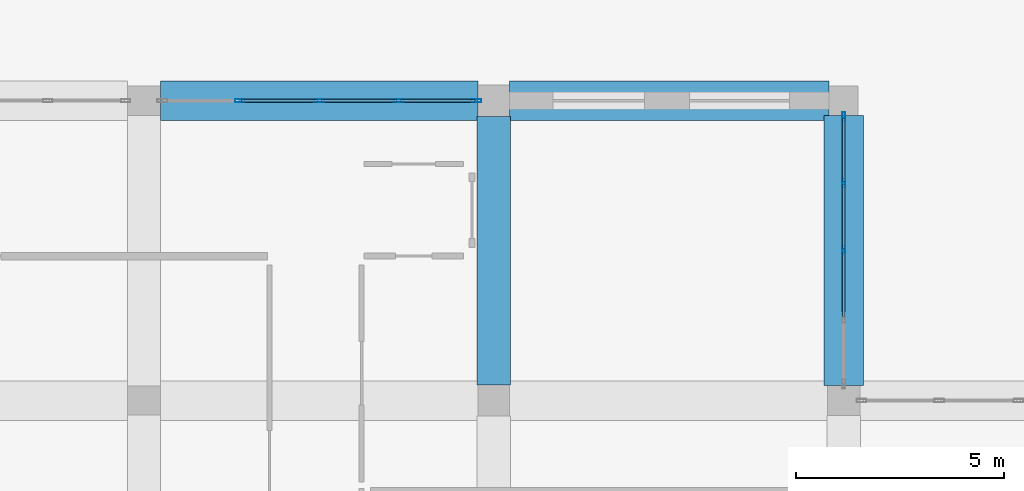
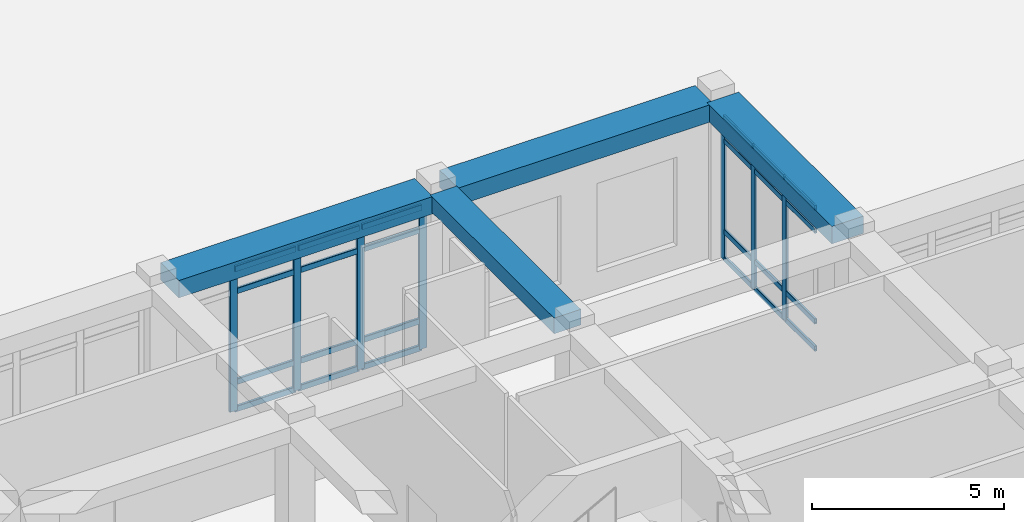
# One storey, part 47 of 84: 31 members, 4 beams, 2 elements without a shape of their own.
"""IFC4 building model written with IfcOpenShell, lengths in metres."""

from ifc_helpers import new_model, si_unit, derived_unit, direction, frame, origin, origin_2d, place, context, subcontext, project, spatial, rectangle, hollow_rectangle, extrude, material, material_profile, profile_set, type_object, element, aggregate, save


model = new_model("IFC4")

# Units and contexts
model_context = context("Model", 3, precision=1e-05, world=origin(), true_north=direction((0.0, 1.0)))
body_context = subcontext(model_context, "Body", "Model", "MODEL_VIEW")
ifc_project = project(units=[si_unit("LENGTHUNIT", "METRE"), si_unit("AREAUNIT", "SQUARE_METRE"), si_unit("VOLUMEUNIT", "CUBIC_METRE"), si_unit("PLANEANGLEUNIT", "RADIAN"), si_unit("MASSUNIT", "GRAM", prefix="KILO"), derived_unit("THERMALTRANSMITTANCEUNIT", [(si_unit("POWERUNIT", "WATT"), 1), (si_unit("LENGTHUNIT", "METRE"), -2), (si_unit("THERMODYNAMICTEMPERATUREUNIT", "KELVIN"), -1)])], contexts=[model_context])

# Site, building, storey
site_placement = place(None, origin())
site = spatial("IfcSite", under=ifc_project, at=site_placement, CompositionType="ELEMENT")
building_placement = place(site_placement, origin())
building = spatial("IfcBuilding", under=site, at=building_placement, Name="Veybourne Emporium", CompositionType="ELEMENT")
storey_placement = place(building_placement, origin())
storey = spatial("IfcBuildingStorey", under=building, at=storey_placement, Name="L00", CompositionType="ELEMENT", Elevation=0.0)

# Curtain wall, members
ifc_material_1 = material(Name="Patinated Architectural Bronze", Category="bronze")
curtain_wall_type_1 = type_object("IfcCurtainWallType", Name="CWSystem_CWS-15", PredefinedType="NOTDEFINED", material=ifc_material_1)
curtain_wall_1_placement = place(storey_placement, origin())
curtain_wall_1 = element("IfcCurtainWall", 1, at=curtain_wall_1_placement, inside=storey, type_object=curtain_wall_type_1, Name="L00 bronze glazed curtain wall CWS-15 (066)", PredefinedType="NOTDEFINED")
ifc_material_profile_1 = material_profile(ifc_material_1, hollow_rectangle(XDim=0.077880859375, YDim=0.235107421875, WallThickness=0.0048828125, InnerFilletRadius=0.007568359375, OuterFilletRadius=0.012451171875, at=origin_2d()), Name="CWM 78x235x5")
ifc_profile_set_1 = profile_set([ifc_material_profile_1], Name="Patinated Architectural Bronze")
member_type_1 = type_object("IfcMemberType", Name="CWMullion_CW-M3", PredefinedType="MULLION", material=ifc_profile_set_1)
member_1_placement = place(storey_placement, frame((128.30615234375, 28.800048828125, 0.0), z_axis=(0.0, 0.0, 1.0), x_axis=(0.0, 1.0, 0.0)))
member_1 = element("IfcMember", 2, at=member_1_placement, type_object=member_type_1, Name="CWS-15 mullion 2", PredefinedType="MULLION", context=body_context, shape_type="SweptSolid", body=[
    extrude(hollow_rectangle(XDim=0.077880859375, YDim=0.235107421875, WallThickness=0.0048828125, InnerFilletRadius=0.007568359375, OuterFilletRadius=0.012451171875, at=origin_2d()), origin(), (0.0, 0.0, 1.0), 4.530029296875),
])
member_2_placement = place(storey_placement, frame((130.21240234375, 28.800048828125, 0.0), z_axis=(0.0, 0.0, 1.0), x_axis=(0.0, 1.0, 0.0)))
member_2 = element("IfcMember", 3, at=member_2_placement, type_object=member_type_1, Name="CWS-15 mullion 3", PredefinedType="MULLION", context=body_context, shape_type="SweptSolid", body=[
    extrude(hollow_rectangle(XDim=0.077880859375, YDim=0.235107421875, WallThickness=0.0048828125, InnerFilletRadius=0.007568359375, OuterFilletRadius=0.012451171875, at=origin_2d()), origin(), (0.0, 0.0, 1.0), 4.530029296875),
])
member_3_placement = place(storey_placement, frame((132.11865234375, 28.800048828125, 0.0), z_axis=(0.0, 0.0, 1.0), x_axis=(0.0, 1.0, 0.0)))
member_3 = element("IfcMember", 4, at=member_3_placement, type_object=member_type_1, Name="CWS-15 mullion 4", PredefinedType="MULLION", context=body_context, shape_type="SweptSolid", body=[
    extrude(hollow_rectangle(XDim=0.077880859375, YDim=0.235107421875, WallThickness=0.0048828125, InnerFilletRadius=0.007568359375, OuterFilletRadius=0.012451171875, at=origin_2d()), origin(), (0.0, 0.0, 1.0), 4.530029296875),
])
member_4_placement = place(storey_placement, frame((133.986083984375, 28.800048828125, 0.0), z_axis=(0.0, 0.0, 1.0), x_axis=(0.0, 1.0, 0.0)))
member_4 = element("IfcMember", 5, at=member_4_placement, type_object=member_type_1, Name="CWS-15 mullion 5", PredefinedType="MULLION", context=body_context, shape_type="SweptSolid", body=[
    extrude(hollow_rectangle(XDim=0.077880859375, YDim=0.235107421875, WallThickness=0.0048828125, InnerFilletRadius=0.007568359375, OuterFilletRadius=0.012451171875, at=origin_2d()), origin(), (0.0, 0.0, 1.0), 4.530029296875),
])

curtain_wall_type_2 = type_object("IfcCurtainWallType", Name="CWSystem_CWS-16", PredefinedType="NOTDEFINED", material=ifc_material_1)
curtain_wall_2_placement = place(storey_placement, origin())
curtain_wall_2 = element("IfcCurtainWall", 6, at=curtain_wall_2_placement, inside=storey, type_object=curtain_wall_type_2, Name="L00 bronze glazed curtain wall CWS-16 (068)", PredefinedType="NOTDEFINED")
ifc_material_profile_2 = material_profile(ifc_material_1, hollow_rectangle(XDim=0.070068359375, YDim=0.219970703125, WallThickness=0.0048828125, InnerFilletRadius=0.007568359375, OuterFilletRadius=0.012451171875, at=origin_2d()), Name="CWM 70x220x5")
ifc_profile_set_2 = profile_set([ifc_material_profile_2], Name="Patinated Architectural Bronze")
member_type_2 = type_object("IfcMemberType", Name="CWMullion_CW-M4", PredefinedType="MULLION", material=ifc_profile_set_2)
member_5_placement = place(storey_placement, frame((142.800048828125, 28.4150390625, 0.0), z_axis=(0.0, 0.0, 1.0), x_axis=(1.0, 0.0, 0.0)))
member_5 = element("IfcMember", 7, at=member_5_placement, type_object=member_type_2, Name="CWS-16 mullion 1", PredefinedType="MULLION", context=body_context, shape_type="SweptSolid", body=[
    extrude(hollow_rectangle(XDim=0.070068359375, YDim=0.219970703125, WallThickness=0.0048828125, InnerFilletRadius=0.007568359375, OuterFilletRadius=0.012451171875, at=origin_2d()), origin(), (0.0, 0.0, 1.0), 4.530029296875),
])
member_6_placement = place(storey_placement, frame((142.800048828125, 26.827392578125, 0.0), z_axis=(0.0, 0.0, 1.0), x_axis=(1.0, 0.0, 0.0)))
member_6 = element("IfcMember", 8, at=member_6_placement, type_object=member_type_2, Name="CWS-16 mullion 2", PredefinedType="MULLION", context=body_context, shape_type="SweptSolid", body=[
    extrude(hollow_rectangle(XDim=0.070068359375, YDim=0.219970703125, WallThickness=0.0048828125, InnerFilletRadius=0.007568359375, OuterFilletRadius=0.012451171875, at=origin_2d()), origin(), (0.0, 0.0, 1.0), 4.530029296875),
])
member_7_placement = place(storey_placement, frame((142.800048828125, 25.205078125, 0.0), z_axis=(0.0, 0.0, 1.0), x_axis=(1.0, 0.0, 0.0)))
member_7 = element("IfcMember", 9, at=member_7_placement, type_object=member_type_2, Name="CWS-16 mullion 3", PredefinedType="MULLION", context=body_context, shape_type="SweptSolid", body=[
    extrude(hollow_rectangle(XDim=0.070068359375, YDim=0.219970703125, WallThickness=0.0048828125, InnerFilletRadius=0.007568359375, OuterFilletRadius=0.012451171875, at=origin_2d()), origin(), (0.0, 0.0, 1.0), 4.530029296875),
])

# Member
ifc_material_profile_3 = material_profile(ifc_material_1, hollow_rectangle(XDim=0.077880859375, YDim=0.18505859375, WallThickness=0.0048828125, InnerFilletRadius=0.007568359375, OuterFilletRadius=0.012451171875, at=origin_2d()), Name="CWT 78x185x5")
ifc_profile_set_3 = profile_set([ifc_material_profile_3], Name="Patinated Architectural Bronze")
member_type_3 = type_object("IfcMemberType", Name="CWTransom_CW-T3", PredefinedType="NOTDEFINED", material=ifc_profile_set_3)
member_8_placement = place(storey_placement, frame((128.34521484375, 28.800048828125, 0.0390625), z_axis=(1.0, 0.0, 0.0), x_axis=(0.0, 1.0, 0.0)))
member_8 = element("IfcMember", 10, at=member_8_placement, type_object=member_type_3, Name="CWS-15 transom 2.1", ObjectType="TRANSOM", PredefinedType="USERDEFINED", context=body_context, shape_type="SweptSolid", body=[
    extrude(hollow_rectangle(XDim=0.077880859375, YDim=0.18505859375, WallThickness=0.0048828125, InnerFilletRadius=0.007568359375, OuterFilletRadius=0.012451171875, at=origin_2d()), origin(), (0.0, 0.0, 1.0), 1.828369140625),
])

member_9_placement = place(storey_placement, frame((128.34521484375, 28.800048828125, 0.89990234375), z_axis=(1.0, 0.0, 0.0), x_axis=(0.0, 1.0, 0.0)))
member_9 = element("IfcMember", 11, at=member_9_placement, type_object=member_type_3, Name="CWS-15 transom 2.2", ObjectType="TRANSOM", PredefinedType="USERDEFINED", context=body_context, shape_type="SweptSolid", body=[
    extrude(hollow_rectangle(XDim=0.077880859375, YDim=0.18505859375, WallThickness=0.0048828125, InnerFilletRadius=0.007568359375, OuterFilletRadius=0.012451171875, at=origin_2d()), origin(), (0.0, 0.0, 1.0), 1.828369140625),
])

member_10_placement = place(storey_placement, frame((128.34521484375, 28.800048828125, 3.780029296875), z_axis=(1.0, 0.0, 0.0), x_axis=(0.0, 1.0, 0.0)))
member_10 = element("IfcMember", 12, at=member_10_placement, type_object=member_type_3, Name="CWS-15 transom 2.3", ObjectType="TRANSOM", PredefinedType="USERDEFINED", context=body_context, shape_type="SweptSolid", body=[
    extrude(hollow_rectangle(XDim=0.077880859375, YDim=0.18505859375, WallThickness=0.0048828125, InnerFilletRadius=0.007568359375, OuterFilletRadius=0.012451171875, at=origin_2d()), origin(), (0.0, 0.0, 1.0), 1.828369140625),
])

member_11_placement = place(storey_placement, frame((128.34521484375, 28.800048828125, 4.490966796875), z_axis=(1.0, 0.0, 0.0), x_axis=(0.0, 1.0, 0.0)))
member_11 = element("IfcMember", 13, at=member_11_placement, type_object=member_type_3, Name="CWS-15 transom 2.4", ObjectType="TRANSOM", PredefinedType="USERDEFINED", context=body_context, shape_type="SweptSolid", body=[
    extrude(hollow_rectangle(XDim=0.077880859375, YDim=0.18505859375, WallThickness=0.0048828125, InnerFilletRadius=0.007568359375, OuterFilletRadius=0.012451171875, at=origin_2d()), origin(), (0.0, 0.0, 1.0), 1.828369140625),
])

member_12_placement = place(storey_placement, frame((130.25146484375, 28.800048828125, 0.0390625), z_axis=(1.0, 0.0, 0.0), x_axis=(0.0, 1.0, 0.0)))
member_12 = element("IfcMember", 14, at=member_12_placement, type_object=member_type_3, Name="CWS-15 transom 3.1", ObjectType="TRANSOM", PredefinedType="USERDEFINED", context=body_context, shape_type="SweptSolid", body=[
    extrude(hollow_rectangle(XDim=0.077880859375, YDim=0.18505859375, WallThickness=0.0048828125, InnerFilletRadius=0.007568359375, OuterFilletRadius=0.012451171875, at=origin_2d()), origin(), (0.0, 0.0, 1.0), 1.828369140625),
])

member_13_placement = place(storey_placement, frame((130.25146484375, 28.800048828125, 0.89990234375), z_axis=(1.0, 0.0, 0.0), x_axis=(0.0, 1.0, 0.0)))
member_13 = element("IfcMember", 15, at=member_13_placement, type_object=member_type_3, Name="CWS-15 transom 3.2", ObjectType="TRANSOM", PredefinedType="USERDEFINED", context=body_context, shape_type="SweptSolid", body=[
    extrude(hollow_rectangle(XDim=0.077880859375, YDim=0.18505859375, WallThickness=0.0048828125, InnerFilletRadius=0.007568359375, OuterFilletRadius=0.012451171875, at=origin_2d()), origin(), (0.0, 0.0, 1.0), 1.828369140625),
])

member_14_placement = place(storey_placement, frame((130.25146484375, 28.800048828125, 3.780029296875), z_axis=(1.0, 0.0, 0.0), x_axis=(0.0, 1.0, 0.0)))
member_14 = element("IfcMember", 16, at=member_14_placement, type_object=member_type_3, Name="CWS-15 transom 3.3", ObjectType="TRANSOM", PredefinedType="USERDEFINED", context=body_context, shape_type="SweptSolid", body=[
    extrude(hollow_rectangle(XDim=0.077880859375, YDim=0.18505859375, WallThickness=0.0048828125, InnerFilletRadius=0.007568359375, OuterFilletRadius=0.012451171875, at=origin_2d()), origin(), (0.0, 0.0, 1.0), 1.828369140625),
])

member_15_placement = place(storey_placement, frame((130.25146484375, 28.800048828125, 4.490966796875), z_axis=(1.0, 0.0, 0.0), x_axis=(0.0, 1.0, 0.0)))
member_15 = element("IfcMember", 17, at=member_15_placement, type_object=member_type_3, Name="CWS-15 transom 3.4", ObjectType="TRANSOM", PredefinedType="USERDEFINED", context=body_context, shape_type="SweptSolid", body=[
    extrude(hollow_rectangle(XDim=0.077880859375, YDim=0.18505859375, WallThickness=0.0048828125, InnerFilletRadius=0.007568359375, OuterFilletRadius=0.012451171875, at=origin_2d()), origin(), (0.0, 0.0, 1.0), 1.828369140625),
])

member_16_placement = place(storey_placement, frame((132.15771484375, 28.800048828125, 0.0390625), z_axis=(1.0, 0.0, 0.0), x_axis=(0.0, 1.0, 0.0)))
member_16 = element("IfcMember", 18, at=member_16_placement, type_object=member_type_3, Name="CWS-15 transom 4.1", ObjectType="TRANSOM", PredefinedType="USERDEFINED", context=body_context, shape_type="SweptSolid", body=[
    extrude(hollow_rectangle(XDim=0.077880859375, YDim=0.18505859375, WallThickness=0.0048828125, InnerFilletRadius=0.007568359375, OuterFilletRadius=0.012451171875, at=origin_2d()), origin(), (0.0, 0.0, 1.0), 1.789306640625),
])

member_17_placement = place(storey_placement, frame((132.15771484375, 28.800048828125, 0.89990234375), z_axis=(1.0, 0.0, 0.0), x_axis=(0.0, 1.0, 0.0)))
member_17 = element("IfcMember", 19, at=member_17_placement, type_object=member_type_3, Name="CWS-15 transom 4.2", ObjectType="TRANSOM", PredefinedType="USERDEFINED", context=body_context, shape_type="SweptSolid", body=[
    extrude(hollow_rectangle(XDim=0.077880859375, YDim=0.18505859375, WallThickness=0.0048828125, InnerFilletRadius=0.007568359375, OuterFilletRadius=0.012451171875, at=origin_2d()), origin(), (0.0, 0.0, 1.0), 1.789306640625),
])

member_18_placement = place(storey_placement, frame((132.15771484375, 28.800048828125, 3.780029296875), z_axis=(1.0, 0.0, 0.0), x_axis=(0.0, 1.0, 0.0)))
member_18 = element("IfcMember", 20, at=member_18_placement, type_object=member_type_3, Name="CWS-15 transom 4.3", ObjectType="TRANSOM", PredefinedType="USERDEFINED", context=body_context, shape_type="SweptSolid", body=[
    extrude(hollow_rectangle(XDim=0.077880859375, YDim=0.18505859375, WallThickness=0.0048828125, InnerFilletRadius=0.007568359375, OuterFilletRadius=0.012451171875, at=origin_2d()), origin(), (0.0, 0.0, 1.0), 1.789306640625),
])

member_19_placement = place(storey_placement, frame((132.15771484375, 28.800048828125, 4.490966796875), z_axis=(1.0, 0.0, 0.0), x_axis=(0.0, 1.0, 0.0)))
member_19 = element("IfcMember", 21, at=member_19_placement, type_object=member_type_3, Name="CWS-15 transom 4.4", ObjectType="TRANSOM", PredefinedType="USERDEFINED", context=body_context, shape_type="SweptSolid", body=[
    extrude(hollow_rectangle(XDim=0.077880859375, YDim=0.18505859375, WallThickness=0.0048828125, InnerFilletRadius=0.007568359375, OuterFilletRadius=0.012451171875, at=origin_2d()), origin(), (0.0, 0.0, 1.0), 1.789306640625),
])

aggregate(curtain_wall_1, [member_1, member_2, member_3, member_4, member_8, member_9, member_10, member_11, member_12, member_13, member_14, member_15, member_16, member_17, member_18, member_19])

ifc_material_profile_4 = material_profile(ifc_material_1, hollow_rectangle(XDim=0.070068359375, YDim=0.169921875, WallThickness=0.0048828125, InnerFilletRadius=0.007568359375, OuterFilletRadius=0.012451171875, at=origin_2d()), Name="CWT 70x170x5")
ifc_profile_set_4 = profile_set([ifc_material_profile_4], Name="Patinated Architectural Bronze")
member_type_4 = type_object("IfcMemberType", Name="CWTransom_CW-T4", PredefinedType="NOTDEFINED", material=ifc_profile_set_4)
member_20_placement = place(storey_placement, frame((142.800048828125, 28.3798828125, 0.034912109375), z_axis=(0.0, -1.0, 0.0), x_axis=(1.0, 0.0, 0.0)))
member_20 = element("IfcMember", 22, at=member_20_placement, type_object=member_type_4, Name="CWS-16 transom 1.1", ObjectType="TRANSOM", PredefinedType="USERDEFINED", context=body_context, shape_type="SweptSolid", body=[
    extrude(hollow_rectangle(XDim=0.070068359375, YDim=0.169921875, WallThickness=0.0048828125, InnerFilletRadius=0.007568359375, OuterFilletRadius=0.012451171875, at=origin_2d()), origin(), (0.0, 0.0, 1.0), 1.517333984375),
])

member_21_placement = place(storey_placement, frame((142.800048828125, 28.3798828125, 0.89990234375), z_axis=(0.0, -1.0, 0.0), x_axis=(1.0, 0.0, 0.0)))
member_21 = element("IfcMember", 23, at=member_21_placement, type_object=member_type_4, Name="CWS-16 transom 1.2", ObjectType="TRANSOM", PredefinedType="USERDEFINED", context=body_context, shape_type="SweptSolid", body=[
    extrude(hollow_rectangle(XDim=0.070068359375, YDim=0.169921875, WallThickness=0.0048828125, InnerFilletRadius=0.007568359375, OuterFilletRadius=0.012451171875, at=origin_2d()), origin(), (0.0, 0.0, 1.0), 1.517333984375),
])

member_22_placement = place(storey_placement, frame((142.800048828125, 28.3798828125, 3.780029296875), z_axis=(0.0, -1.0, 0.0), x_axis=(1.0, 0.0, 0.0)))
member_22 = element("IfcMember", 24, at=member_22_placement, type_object=member_type_4, Name="CWS-16 transom 1.3", ObjectType="TRANSOM", PredefinedType="USERDEFINED", context=body_context, shape_type="SweptSolid", body=[
    extrude(hollow_rectangle(XDim=0.070068359375, YDim=0.169921875, WallThickness=0.0048828125, InnerFilletRadius=0.007568359375, OuterFilletRadius=0.012451171875, at=origin_2d()), origin(), (0.0, 0.0, 1.0), 1.517333984375),
])

member_23_placement = place(storey_placement, frame((142.800048828125, 28.3798828125, 4.4951171875), z_axis=(0.0, -1.0, 0.0), x_axis=(1.0, 0.0, 0.0)))
member_23 = element("IfcMember", 25, at=member_23_placement, type_object=member_type_4, Name="CWS-16 transom 1.4", ObjectType="TRANSOM", PredefinedType="USERDEFINED", context=body_context, shape_type="SweptSolid", body=[
    extrude(hollow_rectangle(XDim=0.070068359375, YDim=0.169921875, WallThickness=0.0048828125, InnerFilletRadius=0.007568359375, OuterFilletRadius=0.012451171875, at=origin_2d()), origin(), (0.0, 0.0, 1.0), 1.517333984375),
])

member_24_placement = place(storey_placement, frame((142.800048828125, 26.79248046875, 0.034912109375), z_axis=(0.0, -1.0, 0.0), x_axis=(1.0, 0.0, 0.0)))
member_24 = element("IfcMember", 26, at=member_24_placement, type_object=member_type_4, Name="CWS-16 transom 2.1", ObjectType="TRANSOM", PredefinedType="USERDEFINED", context=body_context, shape_type="SweptSolid", body=[
    extrude(hollow_rectangle(XDim=0.070068359375, YDim=0.169921875, WallThickness=0.0048828125, InnerFilletRadius=0.007568359375, OuterFilletRadius=0.012451171875, at=origin_2d()), origin(), (0.0, 0.0, 1.0), 1.552490234375),
])

member_25_placement = place(storey_placement, frame((142.800048828125, 26.79248046875, 0.89990234375), z_axis=(0.0, -1.0, 0.0), x_axis=(1.0, 0.0, 0.0)))
member_25 = element("IfcMember", 27, at=member_25_placement, type_object=member_type_4, Name="CWS-16 transom 2.2", ObjectType="TRANSOM", PredefinedType="USERDEFINED", context=body_context, shape_type="SweptSolid", body=[
    extrude(hollow_rectangle(XDim=0.070068359375, YDim=0.169921875, WallThickness=0.0048828125, InnerFilletRadius=0.007568359375, OuterFilletRadius=0.012451171875, at=origin_2d()), origin(), (0.0, 0.0, 1.0), 1.552490234375),
])

member_26_placement = place(storey_placement, frame((142.800048828125, 26.79248046875, 3.780029296875), z_axis=(0.0, -1.0, 0.0), x_axis=(1.0, 0.0, 0.0)))
member_26 = element("IfcMember", 28, at=member_26_placement, type_object=member_type_4, Name="CWS-16 transom 2.3", ObjectType="TRANSOM", PredefinedType="USERDEFINED", context=body_context, shape_type="SweptSolid", body=[
    extrude(hollow_rectangle(XDim=0.070068359375, YDim=0.169921875, WallThickness=0.0048828125, InnerFilletRadius=0.007568359375, OuterFilletRadius=0.012451171875, at=origin_2d()), origin(), (0.0, 0.0, 1.0), 1.552490234375),
])

member_27_placement = place(storey_placement, frame((142.800048828125, 26.79248046875, 4.4951171875), z_axis=(0.0, -1.0, 0.0), x_axis=(1.0, 0.0, 0.0)))
member_27 = element("IfcMember", 29, at=member_27_placement, type_object=member_type_4, Name="CWS-16 transom 2.4", ObjectType="TRANSOM", PredefinedType="USERDEFINED", context=body_context, shape_type="SweptSolid", body=[
    extrude(hollow_rectangle(XDim=0.070068359375, YDim=0.169921875, WallThickness=0.0048828125, InnerFilletRadius=0.007568359375, OuterFilletRadius=0.012451171875, at=origin_2d()), origin(), (0.0, 0.0, 1.0), 1.552490234375),
])

member_28_placement = place(storey_placement, frame((142.800048828125, 25.169921875, 0.034912109375), z_axis=(0.0, -1.0, 0.0), x_axis=(1.0, 0.0, 0.0)))
member_28 = element("IfcMember", 30, at=member_28_placement, type_object=member_type_4, Name="CWS-16 transom 3.1", ObjectType="TRANSOM", PredefinedType="USERDEFINED", context=body_context, shape_type="SweptSolid", body=[
    extrude(hollow_rectangle(XDim=0.070068359375, YDim=0.169921875, WallThickness=0.0048828125, InnerFilletRadius=0.007568359375, OuterFilletRadius=0.012451171875, at=origin_2d()), origin(), (0.0, 0.0, 1.0), 1.552490234375),
])

member_29_placement = place(storey_placement, frame((142.800048828125, 25.169921875, 0.89990234375), z_axis=(0.0, -1.0, 0.0), x_axis=(1.0, 0.0, 0.0)))
member_29 = element("IfcMember", 31, at=member_29_placement, type_object=member_type_4, Name="CWS-16 transom 3.2", ObjectType="TRANSOM", PredefinedType="USERDEFINED", context=body_context, shape_type="SweptSolid", body=[
    extrude(hollow_rectangle(XDim=0.070068359375, YDim=0.169921875, WallThickness=0.0048828125, InnerFilletRadius=0.007568359375, OuterFilletRadius=0.012451171875, at=origin_2d()), origin(), (0.0, 0.0, 1.0), 1.552490234375),
])

member_30_placement = place(storey_placement, frame((142.800048828125, 25.169921875, 3.780029296875), z_axis=(0.0, -1.0, 0.0), x_axis=(1.0, 0.0, 0.0)))
member_30 = element("IfcMember", 32, at=member_30_placement, type_object=member_type_4, Name="CWS-16 transom 3.3", ObjectType="TRANSOM", PredefinedType="USERDEFINED", context=body_context, shape_type="SweptSolid", body=[
    extrude(hollow_rectangle(XDim=0.070068359375, YDim=0.169921875, WallThickness=0.0048828125, InnerFilletRadius=0.007568359375, OuterFilletRadius=0.012451171875, at=origin_2d()), origin(), (0.0, 0.0, 1.0), 1.552490234375),
])

member_31_placement = place(storey_placement, frame((142.800048828125, 25.169921875, 4.4951171875), z_axis=(0.0, -1.0, 0.0), x_axis=(1.0, 0.0, 0.0)))
member_31 = element("IfcMember", 33, at=member_31_placement, type_object=member_type_4, Name="CWS-16 transom 3.4", ObjectType="TRANSOM", PredefinedType="USERDEFINED", context=body_context, shape_type="SweptSolid", body=[
    extrude(hollow_rectangle(XDim=0.070068359375, YDim=0.169921875, WallThickness=0.0048828125, InnerFilletRadius=0.007568359375, OuterFilletRadius=0.012451171875, at=origin_2d()), origin(), (0.0, 0.0, 1.0), 1.552490234375),
])

aggregate(curtain_wall_2, [member_5, member_6, member_7, member_20, member_21, member_22, member_23, member_24, member_25, member_26, member_27, member_28, member_29, member_30, member_31])

# Beams
ifc_material_2 = material(Name="Concrete C32/40", Category="concrete")
ifc_material_profile_5 = material_profile(ifc_material_2, rectangle(XDim=0.800048828125, YDim=0.5, at=origin_2d()), Name="RC 800x500")
ifc_profile_set_5 = profile_set([ifc_material_profile_5], Name="Concrete C32/40")
beam_type_1 = type_object("IfcBeamType", Name="RCBeam_BB-02", PredefinedType="BEAM", material=ifc_profile_set_5)
beam_1_placement = place(storey_placement, frame((134.39990234375, 21.97509765625, 4.830078125), z_axis=(0.0, 1.0, 0.0), x_axis=(-1.0, 0.0, 0.0)))
element("IfcBeam", 34, at=beam_1_placement, inside=storey, type_object=beam_type_1, Name="L00 Y-grid beam BB-02 (16,3)", PredefinedType="BEAM", context=body_context, shape_type="SweptSolid", body=[
    extrude(rectangle(XDim=0.800048828125, YDim=0.5, at=origin_2d()), origin(), (0.0, 0.0, 1.0), 6.449951171875),
])
ifc_material_profile_6 = material_profile(ifc_material_2, rectangle(XDim=0.949951171875, YDim=0.550048828125, at=origin_2d()), Name="RC 950x550")
ifc_profile_set_6 = profile_set([ifc_material_profile_6], Name="Concrete C32/40")
beam_type_2 = type_object("IfcBeamType", Name="RCBeam_EB-01", PredefinedType="SPANDREL", material=ifc_profile_set_6)
beam_2_placement = place(storey_placement, frame((126.39990234375, 28.800048828125, 4.804931640625), z_axis=(1.0, 0.0, 0.0), x_axis=(0.0, 1.0, 0.0)))
element("IfcBeam", 35, at=beam_2_placement, inside=storey, type_object=beam_type_2, Name="L00 X-grid beam EB-01 (15,4)", PredefinedType="SPANDREL", context=body_context, shape_type="SweptSolid", body=[
    extrude(rectangle(XDim=0.949951171875, YDim=0.550048828125, at=origin_2d()), origin(), (0.0, 0.0, 1.0), 7.625),
])
beam_3_placement = place(storey_placement, frame((134.77490234375, 28.800048828125, 4.804931640625), z_axis=(1.0, 0.0, 0.0), x_axis=(0.0, 1.0, 0.0)))
element("IfcBeam", 36, at=beam_3_placement, inside=storey, type_object=beam_type_2, Name="L00 X-grid beam EB-01 (16,4)", PredefinedType="SPANDREL", context=body_context, shape_type="SweptSolid", body=[
    extrude(rectangle(XDim=0.949951171875, YDim=0.550048828125, at=origin_2d()), origin(), (0.0, 0.0, 1.0), 7.675048828125),
])
beam_4_placement = place(storey_placement, frame((142.800048828125, 21.9599609375, 4.804931640625), z_axis=(0.0, 1.0, 0.0), x_axis=(-1.0, 0.0, 0.0)))
element("IfcBeam", 37, at=beam_4_placement, inside=storey, type_object=beam_type_2, Name="L00 Y-grid beam EB-01 (17,3)", PredefinedType="SPANDREL", context=body_context, shape_type="SweptSolid", body=[
    extrude(rectangle(XDim=0.949951171875, YDim=0.550048828125, at=origin_2d()), origin(), (0.0, 0.0, 1.0), 6.489990234375),
])

save(model, "model.ifc")
